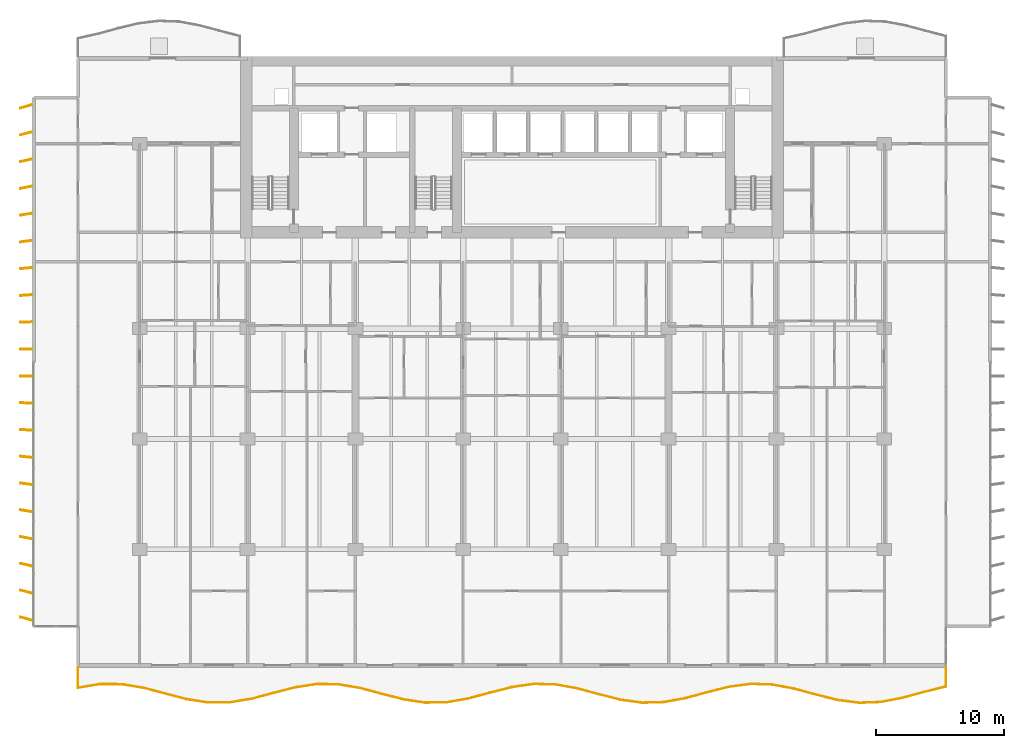
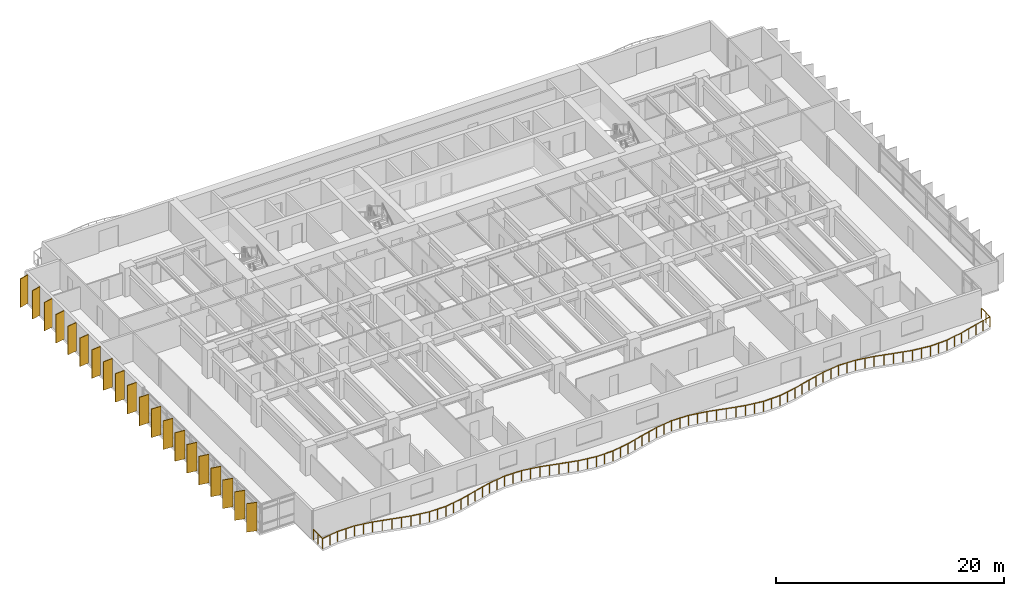
# One storey, part 14 of 17: 20 shading devices, 1 railing.
"""IFC4 building model written with IfcOpenShell, lengths in metres."""

from ifc_helpers import new_model, si_unit, direction, frame, origin, origin_2d, place, context, subcontext, project, spatial, rectangle, circle, extrude, material, material_profile, profile_set, type_object, element, save


model = new_model("IFC4")

# Units and contexts
model_context = context("Model", 3, precision=1e-05, world=origin(), true_north=direction((0.0, 1.0)))
body_context = subcontext(model_context, "Body", "Model", "MODEL_VIEW")
ifc_project = project(units=[si_unit("LENGTHUNIT", "METRE"), si_unit("AREAUNIT", "SQUARE_METRE"), si_unit("VOLUMEUNIT", "CUBIC_METRE"), si_unit("PLANEANGLEUNIT", "RADIAN"), si_unit("MASSUNIT", "GRAM", prefix="KILO")], contexts=[model_context])

# Site, building, storey
site_placement = place(None, origin())
site = spatial("IfcSite", under=ifc_project, at=site_placement, CompositionType="ELEMENT")
building_placement = place(site_placement, origin())
building = spatial("IfcBuilding", under=site, at=building_placement, Name="Caelmar Bay Residences", CompositionType="ELEMENT")
storey_placement = place(building_placement, frame((0.0, 0.0, 49.800048828125)))
storey = spatial("IfcBuildingStorey", under=building, at=storey_placement, Name="L12", CompositionType="ELEMENT", Elevation=49.800048828125)

# Railing
ifc_material_1 = material(Name="Anodised bronze handrail with laminated hurricane glass infill", Category="glass")
railing_type = type_object("IfcRailingType", Name="RL-BAL-1100", PredefinedType="BALUSTRADE", material=ifc_material_1)
railing_placement = place(storey_placement, frame((5.10009765625, 3.0, 0.0)))
element("IfcRailing", 1, at=railing_placement, inside=storey, type_object=railing_type, Name="L12 south Balcony Balustrade", PredefinedType="BALUSTRADE", context=body_context, shape_type="SweptSolid", body=[
    extrude(circle(Radius=0.02392578125, at=origin_2d()), frame((0.0, 0.0, 1.076171875), z_axis=(0.0, -1.0, 0.0), x_axis=(1.0, 0.0, 0.0)), (0.0, 0.0, 1.0), 1.5791015625),
    extrude(circle(Radius=0.02392578125, at=origin_2d()), frame((0.0, -1.5791015625, 1.076171875), z_axis=(0.987183924213, 0.159586652874, 0.0), x_axis=(-0.159586652874, 0.987183924213, 0.0)), (0.0, 0.0, 1.0), 1.7119140625),
    extrude(circle(Radius=0.02392578125, at=origin_2d()), frame((1.68994140625, -1.305908203125, 1.076171875), z_axis=(0.999998737326, -0.001589134081, 0.0), x_axis=(0.001589134081, 0.999998737326, 0.0)), (0.0, 0.0, 1.0), 1.68994140625),
    extrude(circle(Radius=0.02392578125, at=origin_2d()), frame((3.3798828125, -1.30859375, 1.076171875), z_axis=(0.986799294677, -0.16194799173, 0.0), x_axis=(0.16194799173, 0.986799294677, 0.0)), (0.0, 0.0, 1.0), 1.712646484375),
    extrude(circle(Radius=0.02392578125, at=origin_2d()), frame((5.06982421875, -1.5859375, 1.076171875), z_axis=(0.967000314127, -0.254775180264, 0.0), x_axis=(0.254775180264, 0.967000314127, 0.0)), (0.0, 0.0, 1.0), 1.747802734375),
    extrude(circle(Radius=0.02392578125, at=origin_2d()), frame((6.760009765625, -2.03125, 1.076171875), z_axis=(0.967608364987, -0.252456039752, 0.0), x_axis=(0.252456039752, 0.967608364987, 0.0)), (0.0, 0.0, 1.0), 1.74658203125),
    extrude(circle(Radius=0.02392578125, at=origin_2d()), frame((8.449951171875, -2.47216796875, 1.076171875), z_axis=(0.987827677415, -0.155552176883, 0.0), x_axis=(0.155552176883, 0.987827677415, 0.0)), (0.0, 0.0, 1.0), 1.710693359375),
    extrude(circle(Radius=0.02392578125, at=origin_2d()), frame((10.139892578125, -2.73828125, 1.076171875), z_axis=(0.999977919541, 0.00664533145, 0.0), x_axis=(-0.00664533145, 0.999977919541, 0.0)), (0.0, 0.0, 1.0), 1.68994140625),
    extrude(circle(Radius=0.02392578125, at=origin_2d()), frame((11.829833984375, -2.72705078125, 1.076171875), z_axis=(0.986111452539, 0.166084927584, 0.0), x_axis=(-0.166084927584, 0.986111452539, 0.0)), (0.0, 0.0, 1.0), 1.714111328125),
    extrude(circle(Radius=0.02392578125, at=origin_2d()), frame((13.52001953125, -2.4423828125, 1.076171875), z_axis=(0.966680837753, 0.255984682982, 0.0), x_axis=(-0.255984682982, 0.966680837753, 0.0)), (0.0, 0.0, 1.0), 1.748291015625),
    extrude(circle(Radius=0.02392578125, at=origin_2d()), frame((15.2099609375, -1.994873046875, 1.076171875), z_axis=(0.968017027186, 0.250884505457, 0.0), x_axis=(-0.250884505457, 0.968017027186, 0.0)), (0.0, 0.0, 1.0), 1.745849609375),
    extrude(circle(Radius=0.02392578125, at=origin_2d()), frame((16.89990234375, -1.556884765625, 1.076171875), z_axis=(0.988455739863, 0.151509901762, 0.0), x_axis=(-0.151509901762, 0.988455739863, 0.0)), (0.0, 0.0, 1.0), 1.709716796875),
    extrude(circle(Radius=0.02392578125, at=origin_2d()), frame((18.58984375, -1.2978515625, 1.076171875), z_axis=(0.999929840124, -0.011845456066, 0.0), x_axis=(0.011845456066, 0.999929840124, 0.0)), (0.0, 0.0, 1.0), 1.68994140625),
    extrude(circle(Radius=0.02392578125, at=origin_2d()), frame((20.27978515625, -1.31787109375, 1.076171875), z_axis=(0.985474905677, -0.169821112592, 0.0), x_axis=(0.169821112592, 0.985474905677, 0.0)), (0.0, 0.0, 1.0), 1.715087890625),
    extrude(circle(Radius=0.02392578125, at=origin_2d()), frame((21.969970703125, -1.609130859375, 1.076171875), z_axis=(0.966299784556, -0.25741935896, 0.0), x_axis=(0.25741935896, 0.966299784556, 0.0)), (0.0, 0.0, 1.0), 1.748779296875),
    extrude(circle(Radius=0.02392578125, at=origin_2d()), frame((23.659912109375, -2.059326171875, 1.076171875), z_axis=(0.968457248816, -0.249179768873, 0.0), x_axis=(0.249179768873, 0.968457248816, 0.0)), (0.0, 0.0, 1.0), 1.744873046875),
    extrude(circle(Radius=0.02392578125, at=origin_2d()), frame((25.349853515625, -2.494140625, 1.076171875), z_axis=(0.989088848921, -0.147320225836, 0.0), x_axis=(0.147320225836, 0.989088848921, 0.0)), (0.0, 0.0, 1.0), 1.70849609375),
    extrude(circle(Radius=0.02392578125, at=origin_2d()), frame((27.039794921875, -2.745849609375, 1.076171875), z_axis=(0.999854771872, 0.017042158469, 0.0), x_axis=(-0.017042158469, 0.999854771872, 0.0)), (0.0, 0.0, 1.0), 1.6904296875),
    extrude(circle(Radius=0.02392578125, at=origin_2d()), frame((28.72998046875, -2.717041015625, 1.076171875), z_axis=(0.98479644639, 0.173712288506, 0.0), x_axis=(-0.173712288506, 0.98479644639, 0.0)), (0.0, 0.0, 1.0), 1.716064453125),
    extrude(circle(Radius=0.02392578125, at=origin_2d()), frame((30.419921875, -2.4189453125, 1.076171875), z_axis=(0.966021507899, 0.258461692087, 0.0), x_axis=(-0.258461692087, 0.966021507899, 0.0)), (0.0, 0.0, 1.0), 1.749267578125),
    extrude(circle(Radius=0.02392578125, at=origin_2d()), frame((32.10986328125, -1.966796875, 1.076171875), z_axis=(0.96889486343, 0.247472712878, 0.0), x_axis=(-0.247472712878, 0.96889486343, 0.0)), (0.0, 0.0, 1.0), 1.744140625),
    extrude(circle(Radius=0.02392578125, at=origin_2d()), frame((33.7998046875, -1.53515625, 1.076171875), z_axis=(0.989707894307, 0.143102354789, 0.0), x_axis=(-0.143102354789, 0.989707894307, 0.0)), (0.0, 0.0, 1.0), 1.707763671875),
    extrude(circle(Radius=0.02392578125, at=origin_2d()), frame((35.489990234375, -1.290771484375, 1.076171875), z_axis=(0.999755808481, -0.02209804084, 0.0), x_axis=(0.02209804084, 0.999755808481, 0.0)), (0.0, 0.0, 1.0), 1.6904296875),
    extrude(circle(Radius=0.02392578125, at=origin_2d()), frame((37.179931640625, -1.328125, 1.076171875), z_axis=(0.984132715764, -0.177433925061, 0.0), x_axis=(0.177433925061, 0.984132715764, 0.0)), (0.0, 0.0, 1.0), 1.71728515625),
    extrude(circle(Radius=0.02392578125, at=origin_2d()), frame((38.869873046875, -1.6328125, 1.076171875), z_axis=(0.965707295926, -0.259633238619, 0.0), x_axis=(0.259633238619, 0.965707295926, 0.0)), (0.0, 0.0, 1.0), 1.75),
    extrude(circle(Radius=0.02392578125, at=origin_2d()), frame((40.559814453125, -2.087158203125, 1.076171875), z_axis=(0.969338315738, -0.245729993373, 0.0), x_axis=(0.245729993373, 0.969338315738, 0.0)), (0.0, 0.0, 1.0), 1.74365234375),
    extrude(circle(Radius=0.02392578125, at=origin_2d()), frame((42.25, -2.515625, 1.076171875), z_axis=(0.990323665204, -0.138776936615, 0.0), x_axis=(0.138776936615, 0.990323665204, 0.0)), (0.0, 0.0, 1.0), 1.70654296875),
    extrude(circle(Radius=0.02392578125, at=origin_2d()), frame((43.93994140625, -2.75244140625, 1.076171875), z_axis=(0.999627447336, 0.027294075057, 0.0), x_axis=(-0.027294075057, 0.999627447336, 0.0)), (0.0, 0.0, 1.0), 1.690673828125),
    extrude(circle(Radius=0.02392578125, at=origin_2d()), frame((45.6298828125, -2.706298828125, 1.076171875), z_axis=(0.983455853018, 0.181147964836, 0.0), x_axis=(-0.181147964836, 0.983455853018, 0.0)), (0.0, 0.0, 1.0), 1.71826171875),
    extrude(circle(Radius=0.02392578125, at=origin_2d()), frame((47.31982421875, -2.39501953125, 1.076171875), z_axis=(0.96543645193, 0.26063855679, 0.0), x_axis=(-0.26063855679, 0.96543645193, 0.0)), (0.0, 0.0, 1.0), 1.750732421875),
    extrude(circle(Radius=0.02392578125, at=origin_2d()), frame((49.010009765625, -1.938720703125, 1.076171875), z_axis=(0.969828508438, 0.243788154389, 0.0), x_axis=(-0.243788154389, 0.969828508438, 0.0)), (0.0, 0.0, 1.0), 1.742431640625),
    extrude(circle(Radius=0.02392578125, at=origin_2d()), frame((50.699951171875, -1.513916015625, 1.076171875), z_axis=(0.990924009903, 0.134423236824, 0.0), x_axis=(-0.134423236824, 0.990924009903, 0.0)), (0.0, 0.0, 1.0), 1.705322265625),
    extrude(circle(Radius=0.02392578125, at=origin_2d()), frame((52.389892578125, -1.28466796875, 1.076171875), z_axis=(0.999472128922, -0.032487897863, 0.0), x_axis=(0.032487897863, 0.999472128922, 0.0)), (0.0, 0.0, 1.0), 1.69091796875),
    extrude(circle(Radius=0.02392578125, at=origin_2d()), frame((54.079833984375, -1.339599609375, 1.076171875), z_axis=(0.982796570367, -0.184691367622, 0.0), x_axis=(0.184691367622, 0.982796570367, 0.0)), (0.0, 0.0, 1.0), 1.7197265625),
    extrude(circle(Radius=0.02392578125, at=origin_2d()), frame((55.77001953125, -1.6572265625, 1.076171875), z_axis=(0.965216108982, -0.261453366706, 0.0), x_axis=(0.261453366706, 0.965216108982, 0.0)), (0.0, 0.0, 1.0), 1.750732421875),
    extrude(circle(Radius=0.02392578125, at=origin_2d()), frame((57.4599609375, -2.114990234375, 1.076171875), z_axis=(0.970290738987, -0.241941897644, 0.0), x_axis=(0.241941897644, 0.970290738987, 0.0)), (0.0, 0.0, 1.0), 1.74169921875),
    extrude(circle(Radius=0.02392578125, at=origin_2d()), frame((59.14990234375, -2.536376953125, 1.076171875), z_axis=(0.9915243593, -0.129920917926, 0.0), x_axis=(0.129920917926, 0.9915243593, 0.0)), (0.0, 0.0, 1.0), 1.704345703125),
    extrude(circle(Radius=0.02392578125, at=origin_2d()), frame((60.83984375, -2.7578125, 1.076171875), z_axis=(0.999300720789, 0.03739076664, 0.0), x_axis=(-0.03739076664, 0.999300720789, 0.0)), (0.0, 0.0, 1.0), 1.691162109375),
    extrude(circle(Radius=0.02392578125, at=origin_2d()), frame((62.52978515625, -2.694580078125, 1.076171875), z_axis=(0.982120607704, 0.188252787292, 0.0), x_axis=(-0.188252787292, 0.982120607704, 0.0)), (0.0, 0.0, 1.0), 1.720947265625),
    extrude(circle(Radius=0.02392578125, at=origin_2d()), frame((64.219970703125, -2.37060546875, 1.076171875), z_axis=(0.964934116904, 0.262492190426, 0.0), x_axis=(-0.262492190426, 0.964934116904, 0.0)), (0.0, 0.0, 1.0), 1.75146484375),
    extrude(circle(Radius=0.02392578125, at=origin_2d()), frame((65.909912109375, -1.910888671875, 1.076171875), z_axis=(0.97084787607, 0.239696477926, 0.0), x_axis=(-0.239696477926, 0.97084787607, 0.0)), (0.0, 0.0, 1.0), 1.74072265625),
    extrude(circle(Radius=0.02392578125, at=origin_2d()), frame((67.599853515625, -1.49365234375, 1.076171875), z_axis=(0.0, 1.0, 0.0), x_axis=(-1.0, 0.0, 0.0)), (0.0, 0.0, 1.0), 1.49365234375),
    extrude(circle(Radius=0.02099609375, at=origin_2d()), origin(), (0.0, 0.0, 1.0), 1.052001953125),
    extrude(circle(Radius=0.02099609375, at=origin_2d()), frame((0.0, -0.78955078125, 0.0)), (0.0, 0.0, 1.0), 1.052001953125),
    extrude(circle(Radius=0.02099609375, at=origin_2d()), frame((0.0, -1.5791015625, 0.0)), (0.0, 0.0, 1.0), 1.052001953125),
    extrude(circle(Radius=0.02099609375, at=origin_2d()), frame((0.844970703125, -1.4423828125, 0.0)), (0.0, 0.0, 1.0), 1.052001953125),
    extrude(circle(Radius=0.02099609375, at=origin_2d()), frame((1.68994140625, -1.305908203125, 0.0)), (0.0, 0.0, 1.0), 1.052001953125),
    extrude(circle(Radius=0.02099609375, at=origin_2d()), frame((2.534912109375, -1.30712890625, 0.0)), (0.0, 0.0, 1.0), 1.052001953125),
    extrude(circle(Radius=0.02099609375, at=origin_2d()), frame((3.3798828125, -1.30859375, 0.0)), (0.0, 0.0, 1.0), 1.052001953125),
    extrude(circle(Radius=0.02099609375, at=origin_2d()), frame((4.224853515625, -1.447265625, 0.0)), (0.0, 0.0, 1.0), 1.052001953125),
    extrude(circle(Radius=0.02099609375, at=origin_2d()), frame((5.06982421875, -1.5859375, 0.0)), (0.0, 0.0, 1.0), 1.052001953125),
    extrude(circle(Radius=0.02099609375, at=origin_2d()), frame((5.9150390625, -1.80859375, 0.0)), (0.0, 0.0, 1.0), 1.052001953125),
    extrude(circle(Radius=0.02099609375, at=origin_2d()), frame((6.760009765625, -2.03125, 0.0)), (0.0, 0.0, 1.0), 1.052001953125),
    extrude(circle(Radius=0.02099609375, at=origin_2d()), frame((7.60498046875, -2.251708984375, 0.0)), (0.0, 0.0, 1.0), 1.052001953125),
    extrude(circle(Radius=0.02099609375, at=origin_2d()), frame((8.449951171875, -2.47216796875, 0.0)), (0.0, 0.0, 1.0), 1.052001953125),
    extrude(circle(Radius=0.02099609375, at=origin_2d()), frame((9.294921875, -2.605224609375, 0.0)), (0.0, 0.0, 1.0), 1.052001953125),
    extrude(circle(Radius=0.02099609375, at=origin_2d()), frame((10.139892578125, -2.73828125, 0.0)), (0.0, 0.0, 1.0), 1.052001953125),
    extrude(circle(Radius=0.02099609375, at=origin_2d()), frame((10.98486328125, -2.732666015625, 0.0)), (0.0, 0.0, 1.0), 1.052001953125),
    extrude(circle(Radius=0.02099609375, at=origin_2d()), frame((11.829833984375, -2.72705078125, 0.0)), (0.0, 0.0, 1.0), 1.052001953125),
    extrude(circle(Radius=0.02099609375, at=origin_2d()), frame((12.6748046875, -2.584716796875, 0.0)), (0.0, 0.0, 1.0), 1.052001953125),
    extrude(circle(Radius=0.02099609375, at=origin_2d()), frame((13.52001953125, -2.4423828125, 0.0)), (0.0, 0.0, 1.0), 1.052001953125),
    extrude(circle(Radius=0.02099609375, at=origin_2d()), frame((14.364990234375, -2.21875, 0.0)), (0.0, 0.0, 1.0), 1.052001953125),
    extrude(circle(Radius=0.02099609375, at=origin_2d()), frame((15.2099609375, -1.994873046875, 0.0)), (0.0, 0.0, 1.0), 1.052001953125),
    extrude(circle(Radius=0.02099609375, at=origin_2d()), frame((16.054931640625, -1.77587890625, 0.0)), (0.0, 0.0, 1.0), 1.052001953125),
    extrude(circle(Radius=0.02099609375, at=origin_2d()), frame((16.89990234375, -1.556884765625, 0.0)), (0.0, 0.0, 1.0), 1.052001953125),
    extrude(circle(Radius=0.02099609375, at=origin_2d()), frame((17.744873046875, -1.42724609375, 0.0)), (0.0, 0.0, 1.0), 1.052001953125),
    extrude(circle(Radius=0.02099609375, at=origin_2d()), frame((18.58984375, -1.2978515625, 0.0)), (0.0, 0.0, 1.0), 1.052001953125),
    extrude(circle(Radius=0.02099609375, at=origin_2d()), frame((19.434814453125, -1.307861328125, 0.0)), (0.0, 0.0, 1.0), 1.052001953125),
    extrude(circle(Radius=0.02099609375, at=origin_2d()), frame((20.27978515625, -1.31787109375, 0.0)), (0.0, 0.0, 1.0), 1.052001953125),
    extrude(circle(Radius=0.02099609375, at=origin_2d()), frame((21.125, -1.46337890625, 0.0)), (0.0, 0.0, 1.0), 1.052001953125),
    extrude(circle(Radius=0.02099609375, at=origin_2d()), frame((21.969970703125, -1.609130859375, 0.0)), (0.0, 0.0, 1.0), 1.052001953125),
    extrude(circle(Radius=0.02099609375, at=origin_2d()), frame((22.81494140625, -1.834228515625, 0.0)), (0.0, 0.0, 1.0), 1.052001953125),
    extrude(circle(Radius=0.02099609375, at=origin_2d()), frame((23.659912109375, -2.059326171875, 0.0)), (0.0, 0.0, 1.0), 1.052001953125),
    extrude(circle(Radius=0.02099609375, at=origin_2d()), frame((24.5048828125, -2.27685546875, 0.0)), (0.0, 0.0, 1.0), 1.052001953125),
    extrude(circle(Radius=0.02099609375, at=origin_2d()), frame((25.349853515625, -2.494140625, 0.0)), (0.0, 0.0, 1.0), 1.052001953125),
    extrude(circle(Radius=0.02099609375, at=origin_2d()), frame((26.19482421875, -2.6201171875, 0.0)), (0.0, 0.0, 1.0), 1.052001953125),
    extrude(circle(Radius=0.02099609375, at=origin_2d()), frame((27.039794921875, -2.745849609375, 0.0)), (0.0, 0.0, 1.0), 1.052001953125),
    extrude(circle(Radius=0.02099609375, at=origin_2d()), frame((27.884765625, -2.7314453125, 0.0)), (0.0, 0.0, 1.0), 1.052001953125),
    extrude(circle(Radius=0.02099609375, at=origin_2d()), frame((28.72998046875, -2.717041015625, 0.0)), (0.0, 0.0, 1.0), 1.052001953125),
    extrude(circle(Radius=0.02099609375, at=origin_2d()), frame((29.574951171875, -2.56787109375, 0.0)), (0.0, 0.0, 1.0), 1.052001953125),
    extrude(circle(Radius=0.02099609375, at=origin_2d()), frame((30.419921875, -2.4189453125, 0.0)), (0.0, 0.0, 1.0), 1.052001953125),
    extrude(circle(Radius=0.02099609375, at=origin_2d()), frame((31.264892578125, -2.19287109375, 0.0)), (0.0, 0.0, 1.0), 1.052001953125),
    extrude(circle(Radius=0.02099609375, at=origin_2d()), frame((32.10986328125, -1.966796875, 0.0)), (0.0, 0.0, 1.0), 1.052001953125),
    extrude(circle(Radius=0.02099609375, at=origin_2d()), frame((32.954833984375, -1.7509765625, 0.0)), (0.0, 0.0, 1.0), 1.052001953125),
    extrude(circle(Radius=0.02099609375, at=origin_2d()), frame((33.7998046875, -1.53515625, 0.0)), (0.0, 0.0, 1.0), 1.052001953125),
    extrude(circle(Radius=0.02099609375, at=origin_2d()), frame((34.64501953125, -1.4130859375, 0.0)), (0.0, 0.0, 1.0), 1.052001953125),
    extrude(circle(Radius=0.02099609375, at=origin_2d()), frame((35.489990234375, -1.290771484375, 0.0)), (0.0, 0.0, 1.0), 1.052001953125),
    extrude(circle(Radius=0.02099609375, at=origin_2d()), frame((36.3349609375, -1.3095703125, 0.0)), (0.0, 0.0, 1.0), 1.052001953125),
    extrude(circle(Radius=0.02099609375, at=origin_2d()), frame((37.179931640625, -1.328125, 0.0)), (0.0, 0.0, 1.0), 1.052001953125),
    extrude(circle(Radius=0.02099609375, at=origin_2d()), frame((38.02490234375, -1.48046875, 0.0)), (0.0, 0.0, 1.0), 1.052001953125),
    extrude(circle(Radius=0.02099609375, at=origin_2d()), frame((38.869873046875, -1.6328125, 0.0)), (0.0, 0.0, 1.0), 1.052001953125),
    extrude(circle(Radius=0.02099609375, at=origin_2d()), frame((39.71484375, -1.85986328125, 0.0)), (0.0, 0.0, 1.0), 1.052001953125),
    extrude(circle(Radius=0.02099609375, at=origin_2d()), frame((40.559814453125, -2.087158203125, 0.0)), (0.0, 0.0, 1.0), 1.052001953125),
    extrude(circle(Radius=0.02099609375, at=origin_2d()), frame((41.40478515625, -2.30126953125, 0.0)), (0.0, 0.0, 1.0), 1.052001953125),
    extrude(circle(Radius=0.02099609375, at=origin_2d()), frame((42.25, -2.515625, 0.0)), (0.0, 0.0, 1.0), 1.052001953125),
    extrude(circle(Radius=0.02099609375, at=origin_2d()), frame((43.094970703125, -2.634033203125, 0.0)), (0.0, 0.0, 1.0), 1.052001953125),
    extrude(circle(Radius=0.02099609375, at=origin_2d()), frame((43.93994140625, -2.75244140625, 0.0)), (0.0, 0.0, 1.0), 1.052001953125),
    extrude(circle(Radius=0.02099609375, at=origin_2d()), frame((44.784912109375, -2.7294921875, 0.0)), (0.0, 0.0, 1.0), 1.052001953125),
    extrude(circle(Radius=0.02099609375, at=origin_2d()), frame((45.6298828125, -2.706298828125, 0.0)), (0.0, 0.0, 1.0), 1.052001953125),
    extrude(circle(Radius=0.02099609375, at=origin_2d()), frame((46.474853515625, -2.55078125, 0.0)), (0.0, 0.0, 1.0), 1.052001953125),
    extrude(circle(Radius=0.02099609375, at=origin_2d()), frame((47.31982421875, -2.39501953125, 0.0)), (0.0, 0.0, 1.0), 1.052001953125),
    extrude(circle(Radius=0.02099609375, at=origin_2d()), frame((48.1650390625, -2.1669921875, 0.0)), (0.0, 0.0, 1.0), 1.052001953125),
    extrude(circle(Radius=0.02099609375, at=origin_2d()), frame((49.010009765625, -1.938720703125, 0.0)), (0.0, 0.0, 1.0), 1.052001953125),
    extrude(circle(Radius=0.02099609375, at=origin_2d()), frame((49.85498046875, -1.726318359375, 0.0)), (0.0, 0.0, 1.0), 1.052001953125),
    extrude(circle(Radius=0.02099609375, at=origin_2d()), frame((50.699951171875, -1.513916015625, 0.0)), (0.0, 0.0, 1.0), 1.052001953125),
    extrude(circle(Radius=0.02099609375, at=origin_2d()), frame((51.544921875, -1.3994140625, 0.0)), (0.0, 0.0, 1.0), 1.052001953125),
    extrude(circle(Radius=0.02099609375, at=origin_2d()), frame((52.389892578125, -1.28466796875, 0.0)), (0.0, 0.0, 1.0), 1.052001953125),
    extrude(circle(Radius=0.02099609375, at=origin_2d()), frame((53.23486328125, -1.31201171875, 0.0)), (0.0, 0.0, 1.0), 1.052001953125),
    extrude(circle(Radius=0.02099609375, at=origin_2d()), frame((54.079833984375, -1.339599609375, 0.0)), (0.0, 0.0, 1.0), 1.052001953125),
    extrude(circle(Radius=0.02099609375, at=origin_2d()), frame((54.9248046875, -1.49853515625, 0.0)), (0.0, 0.0, 1.0), 1.052001953125),
    extrude(circle(Radius=0.02099609375, at=origin_2d()), frame((55.77001953125, -1.6572265625, 0.0)), (0.0, 0.0, 1.0), 1.052001953125),
    extrude(circle(Radius=0.02099609375, at=origin_2d()), frame((56.614990234375, -1.88623046875, 0.0)), (0.0, 0.0, 1.0), 1.052001953125),
    extrude(circle(Radius=0.02099609375, at=origin_2d()), frame((57.4599609375, -2.114990234375, 0.0)), (0.0, 0.0, 1.0), 1.052001953125),
    extrude(circle(Radius=0.02099609375, at=origin_2d()), frame((58.304931640625, -2.32568359375, 0.0)), (0.0, 0.0, 1.0), 1.052001953125),
    extrude(circle(Radius=0.02099609375, at=origin_2d()), frame((59.14990234375, -2.536376953125, 0.0)), (0.0, 0.0, 1.0), 1.052001953125),
    extrude(circle(Radius=0.02099609375, at=origin_2d()), frame((59.994873046875, -2.64697265625, 0.0)), (0.0, 0.0, 1.0), 1.052001953125),
    extrude(circle(Radius=0.02099609375, at=origin_2d()), frame((60.83984375, -2.7578125, 0.0)), (0.0, 0.0, 1.0), 1.052001953125),
    extrude(circle(Radius=0.02099609375, at=origin_2d()), frame((61.684814453125, -2.72607421875, 0.0)), (0.0, 0.0, 1.0), 1.052001953125),
    extrude(circle(Radius=0.02099609375, at=origin_2d()), frame((62.52978515625, -2.694580078125, 0.0)), (0.0, 0.0, 1.0), 1.052001953125),
    extrude(circle(Radius=0.02099609375, at=origin_2d()), frame((63.375, -2.53271484375, 0.0)), (0.0, 0.0, 1.0), 1.052001953125),
    extrude(circle(Radius=0.02099609375, at=origin_2d()), frame((64.219970703125, -2.37060546875, 0.0)), (0.0, 0.0, 1.0), 1.052001953125),
    extrude(circle(Radius=0.02099609375, at=origin_2d()), frame((65.06494140625, -2.140625, 0.0)), (0.0, 0.0, 1.0), 1.052001953125),
    extrude(circle(Radius=0.02099609375, at=origin_2d()), frame((65.909912109375, -1.910888671875, 0.0)), (0.0, 0.0, 1.0), 1.052001953125),
    extrude(circle(Radius=0.02099609375, at=origin_2d()), frame((66.7548828125, -1.7021484375, 0.0)), (0.0, 0.0, 1.0), 1.052001953125),
    extrude(circle(Radius=0.02099609375, at=origin_2d()), frame((67.599853515625, -1.49365234375, 0.0)), (0.0, 0.0, 1.0), 1.052001953125),
    extrude(circle(Radius=0.02099609375, at=origin_2d()), frame((67.599853515625, -0.746826171875, 0.0)), (0.0, 0.0, 1.0), 1.052001953125),
    extrude(circle(Radius=0.02099609375, at=origin_2d()), frame((67.599853515625, 0.0, 0.0)), (0.0, 0.0, 1.0), 1.052001953125),
])

# Shading devices
ifc_material_2 = material(Name="Anodised architectural bronze aluminium 6063-T6", Category="aluminium")
ifc_material_profile = material_profile(ifc_material_2, rectangle(XDim=0.074951171875, YDim=0.949951171875, at=origin_2d()), Name="BRONZE-FIN-75X950")
ifc_profile_set = profile_set([ifc_material_profile], Name="Anodised architectural bronze aluminium 6063-T6")
shading_device_type = type_object("IfcShadingDeviceType", Name="SHD-FIN-950", PredefinedType="USERDEFINED", material=ifc_profile_set)
for number, where, z_axis, x_axis, name in (
    (2, (1.050048828125, 6.800048828125, 0.0), (0.0, 0.0, 1.0), (0.275637355817, 0.961261695938, 0.0), "L12 West Bronze Solar Fin 1"),
    (3, (1.050048828125, 8.89990234375, 0.0), (0.0, 0.0, 1.0), (0.247337247968, 0.968929453452, 0.0), "L12 West Bronze Solar Fin 2"),
    (4, (1.050048828125, 11.0, 0.0), (0.0, 0.0, 1.0), (0.218654200292, 0.975802408633, 0.0), "L12 West Bronze Solar Fin 3"),
    (5, (1.050048828125, 13.10009765625, 0.0), (0.0, 0.0, 1.0), (0.189952291512, 0.981793321911, 0.0), "L12 West Bronze Solar Fin 4"),
    (6, (1.050048828125, 15.199951171875, 0.0), (0.0, 0.0, 1.0), (0.160914826518, 0.986968296657, 0.0), "L12 West Bronze Solar Fin 5"),
    (7, (1.050048828125, 17.300048828125, 0.0), (0.0, 0.0, 1.0), (0.131910382711, 0.991261646052, 0.0), "L12 West Bronze Solar Fin 6"),
    (8, (1.050048828125, 19.39990234375, 0.0), (0.0, 0.0, 1.0), (0.10261892683, 0.994720742649, 0.0), "L12 West Bronze Solar Fin 7"),
    (9, (1.050048828125, 21.5, 0.0), (0.0, 0.0, 1.0), (0.073412260224, 0.997301679558, 0.0), "L12 West Bronze Solar Fin 8"),
    (10, (1.050048828125, 23.60009765625, 0.0), (0.0, 0.0, 1.0), (0.044142481788, 0.999025245578, 0.0), "L12 West Bronze Solar Fin 9"),
    (11, (1.050048828125, 25.699951171875, 0.0), (0.0, 0.0, 1.0), (0.01466024053, 0.999892532899, 0.0), "L12 West Bronze Solar Fin 10"),
    (12, (1.050048828125, 27.800048828125, 0.0), (0.0, 0.0, 1.0), (-0.01466024053, 0.999892532899, 0.0), "L12 West Bronze Solar Fin 11"),
    (13, (1.050048828125, 29.89990234375, 0.0), (0.0, 0.0, 1.0), (-0.044142481788, 0.999025245578, 0.0), "L12 West Bronze Solar Fin 12"),
    (14, (1.050048828125, 32.0, 0.0), (0.0, 0.0, 1.0), (-0.073412260224, 0.997301679558, 0.0), "L12 West Bronze Solar Fin 13"),
    (15, (1.050048828125, 34.10009765625, 0.0), (0.0, 0.0, 1.0), (-0.10261892683, 0.994720742649, 0.0), "L12 West Bronze Solar Fin 14"),
    (16, (1.050048828125, 36.199951171875, 0.0), (0.0, 0.0, 1.0), (-0.131910382711, 0.991261646052, 0.0), "L12 West Bronze Solar Fin 15"),
    (17, (1.050048828125, 38.300048828125, 0.0), (0.0, 0.0, 1.0), (-0.160914826518, 0.986968296657, 0.0), "L12 West Bronze Solar Fin 16"),
    (18, (1.050048828125, 40.39990234375, 0.0), (0.0, 0.0, 1.0), (-0.189952291512, 0.981793321911, 0.0), "L12 West Bronze Solar Fin 17"),
    (19, (1.050048828125, 42.5, 0.0), (0.0, 0.0, 1.0), (-0.218654200292, 0.975802408633, 0.0), "L12 West Bronze Solar Fin 18"),
    (20, (1.050048828125, 44.60009765625, 0.0), (0.0, 0.0, 1.0), (-0.247337247968, 0.968929453452, 0.0), "L12 West Bronze Solar Fin 19"),
    (21, (1.050048828125, 46.699951171875, 0.0), (0.0, 0.0, 1.0), (-0.275637355817, 0.961261695938, 0.0), "L12 West Bronze Solar Fin 20"),
):
    element("IfcShadingDevice", number, at=place(storey_placement, frame(where, z_axis=z_axis, x_axis=x_axis)), inside=storey, type_object=shading_device_type, Name=name, ObjectType="FIN", PredefinedType="USERDEFINED", context=body_context, shape_type="SweptSolid", body=[
        extrude(rectangle(XDim=0.074951171875, YDim=0.949951171875, at=origin_2d()), origin(), (0.0, 0.0, 1.0), 3.050048828125),
    ])

save(model, "model.ifc")
